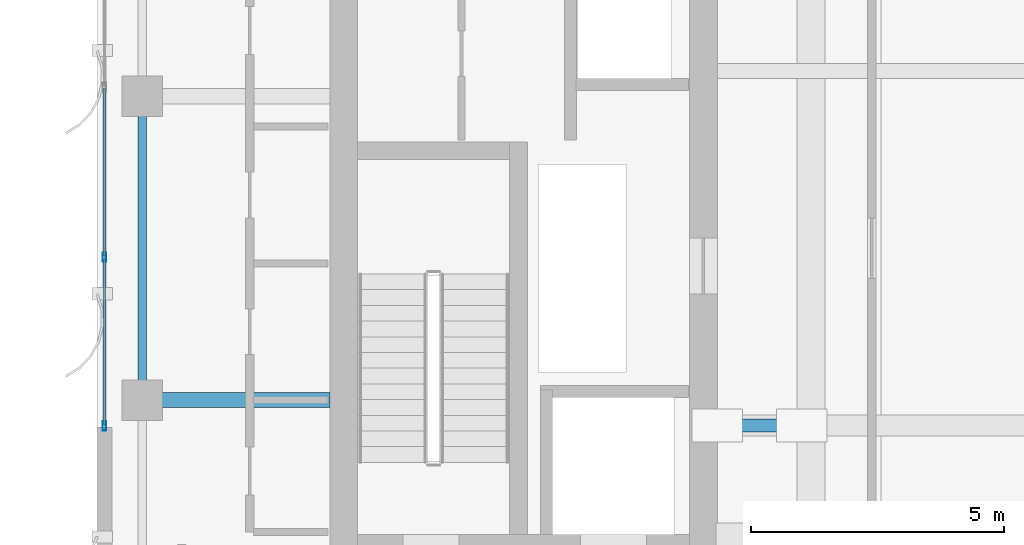
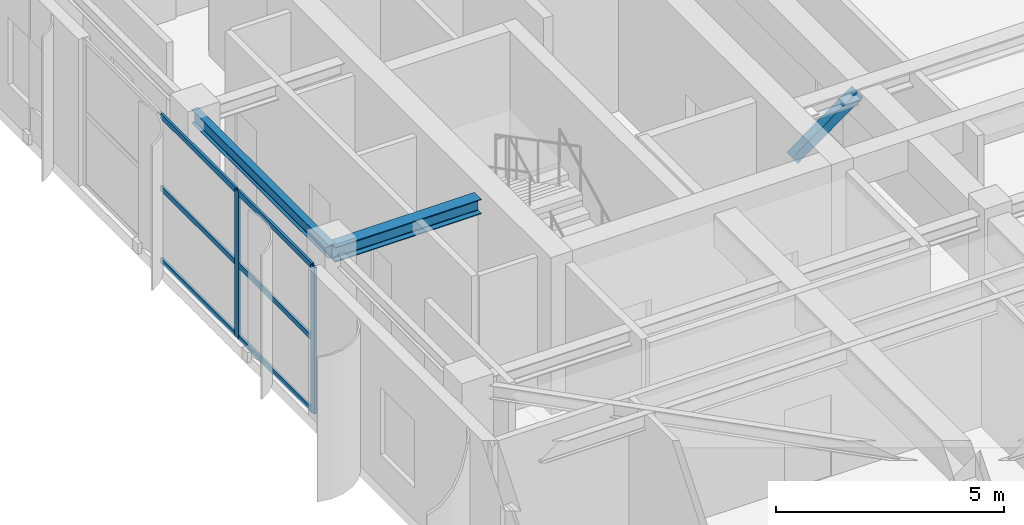
# One storey, part 2 of 19: 9 members, 2 beams, 1 element without a shape of its own.
"""IFC4 building model written with IfcOpenShell, lengths in metres."""

from ifc_helpers import new_model, si_unit, direction, frame, origin, origin_2d, place, context, subcontext, project, spatial, hollow_rectangle, i_section, extrude, source, transform, mapped, material, layer, layer_set, material_profile, profile_set, type_object, element, aggregate, save


model = new_model("IFC4")

# Units and contexts
model_context = context("Model", 3, precision=1e-05, world=origin(), true_north=direction((0.0, 1.0)))
body_context = subcontext(model_context, "Body", "Model", "MODEL_VIEW")
ifc_project = project(units=[si_unit("LENGTHUNIT", "METRE"), si_unit("AREAUNIT", "SQUARE_METRE"), si_unit("VOLUMEUNIT", "CUBIC_METRE"), si_unit("PLANEANGLEUNIT", "RADIAN"), si_unit("MASSUNIT", "GRAM", prefix="KILO")], contexts=[model_context])

# Site, building, storey
site_placement = place(None, origin())
site = spatial("IfcSite", under=ifc_project, at=site_placement, CompositionType="ELEMENT")
building_placement = place(site_placement, origin())
building = spatial("IfcBuilding", under=site, at=building_placement, Name="Khoralis Quay Care Tower", CompositionType="ELEMENT")
storey_placement = place(building_placement, frame((0.0, 0.0, 285.300048828125)))
storey = spatial("IfcBuildingStorey", under=building, at=storey_placement, Name="L75", CompositionType="ELEMENT", Elevation=285.300048828125)

# Beams
ifc_material_1 = material(Name="Steel S355", Category="steel")
ifc_material_profile_1 = material_profile(ifc_material_1, i_section(OverallWidth=0.169921875, OverallDepth=0.360107421875, WebThickness=0.008056640625, FlangeThickness=0.0126953125, FilletRadius=0.01806640625, at=origin_2d()), Name="Steel S355")
ifc_profile_set_1 = profile_set([ifc_material_profile_1], Name="Steel S355")
beam_type_1 = type_object("IfcBeamType", Name="BM-IPE360", PredefinedType="SPANDREL", material=ifc_profile_set_1)
shared_shape_1 = source(origin(), body_context, "Body", "SweptSolid", [
    extrude(i_section(OverallWidth=0.169921875, OverallDepth=0.360107421875, WebThickness=0.008056640625, FlangeThickness=0.0126953125, FilletRadius=0.01806640625, at=origin_2d()), origin(), (0.0, 0.0, 1.0), 6.0),
])
beam_1_placement = place(storey_placement, frame((3.89990234375, 18.0, 3.739990234375), z_axis=(0.0, 1.0, 0.0), x_axis=(-1.0, 0.0, 0.0)))
element("IfcBeam", 1, at=beam_1_placement, inside=storey, type_object=beam_type_1, Name="BM-TSP-L75-10", PredefinedType="SPANDREL", context=body_context, shape_type="MappedRepresentation", body=[
    mapped(shared_shape_1, transform((0.0, 0.0, 0.0), scale=1.0)),
])
ifc_material_profile_2 = material_profile(ifc_material_1, i_section(OverallWidth=0.300048828125, OverallDepth=0.39990234375, WebThickness=0.013427734375, FlangeThickness=0.02392578125, FilletRadius=0.027099609375, at=origin_2d()), Name="Steel S355")
ifc_profile_set_2 = profile_set([ifc_material_profile_2], Name="Steel S355")
beam_type_2 = type_object("IfcBeamType", Name="BM-HEB400", PredefinedType="BEAM", material=ifc_profile_set_2)
shared_shape_2 = source(origin(), body_context, "Body", "SweptSolid", [
    extrude(i_section(OverallWidth=0.300048828125, OverallDepth=0.39990234375, WebThickness=0.013427734375, FlangeThickness=0.02392578125, FilletRadius=0.027099609375, at=origin_2d()), origin(), (0.0, 0.0, 1.0), 3.7021484375),
])
beam_2_placement = place(storey_placement, frame((3.89990234375, 18.0, 3.719970703125), z_axis=(1.0, 0.0, 0.0), x_axis=(0.0, 1.0, 0.0)))
element("IfcBeam", 2, at=beam_2_placement, inside=storey, type_object=beam_type_2, Name="BM-TGXW-L75-180", PredefinedType="BEAM", context=body_context, shape_type="MappedRepresentation", body=[
    mapped(shared_shape_2, transform((0.0, 0.0, 0.0), scale=1.0)),
])

# Member
ifc_material_profile_3 = material_profile(ifc_material_1, hollow_rectangle(XDim=0.25, YDim=0.25, WallThickness=0.012451171875, at=origin_2d()), Name="Steel S355")
ifc_profile_set_3 = profile_set([ifc_material_profile_3], Name="Steel S355")
member_type_1 = type_object("IfcMemberType", Name="BR-RHS250X250X12", PredefinedType="BRACE", material=ifc_profile_set_3)
shared_shape_3 = source(origin(), body_context, "Body", "SweptSolid", [
    extrude(hollow_rectangle(XDim=0.25, YDim=0.25, WallThickness=0.012451171875, at=origin_2d()), origin(), (0.0, 0.0, 1.0), 2.0458984375),
])
member_1_placement = place(storey_placement, frame((15.262939453125, 17.5, 2.550048828125), z_axis=(0.809926482974, 0.0, 0.586531407664), x_axis=(0.0, 1.0, 0.0)))
element("IfcMember", 3, at=member_1_placement, inside=storey, type_object=member_type_1, Name="L75 Sky Pool Space Truss Diagonal 1", PredefinedType="BRACE", context=body_context, shape_type="MappedRepresentation", body=[
    mapped(shared_shape_3, transform((0.0, 0.0, 0.0), scale=1.0)),
])

# Curtain wall, members
ifc_material_2 = material(Name="Pale anodised aluminium", Category="aluminium")
ifc_layer = layer(ifc_material_2, 0.159912109375)
ifc_layer_set = layer_set([ifc_layer], Name="Pale anodised aluminium")
curtain_wall_type = type_object("IfcCurtainWallType", Name="CW-SYS-Z3", PredefinedType="NOTDEFINED", material=ifc_layer_set)
curtain_wall_placement = place(storey_placement, origin())
curtain_wall = element("IfcCurtainWall", 4, at=curtain_wall_placement, inside=storey, type_object=curtain_wall_type, Name="L75 Unitised Curtain Wall CW-L75-P1-E15", PredefinedType="NOTDEFINED")
ifc_material_profile_4 = material_profile(ifc_material_2, hollow_rectangle(XDim=0.06005859375, YDim=0.139892578125, WallThickness=0.00390625, at=origin_2d()), Name="Pale anodised aluminium")
ifc_profile_set_4 = profile_set([ifc_material_profile_4], Name="Pale anodised aluminium")
member_type_2 = type_object("IfcMemberType", Name="CW-TRN-140", PredefinedType="USERDEFINED", material=ifc_profile_set_4)
shared_shape_4 = source(origin(), body_context, "Body", "SweptSolid", [
    extrude(hollow_rectangle(XDim=0.06005859375, YDim=0.139892578125, WallThickness=0.00390625, at=origin_2d()), origin(), (0.0, 0.0, 1.0), 3.27001953125),
])
member_2_placement = place(storey_placement, frame((3.14990234375, 20.7900390625, 0.030029296875), z_axis=(0.0, -1.0, 0.0), x_axis=(1.0, 0.0, 0.0)))
member_2 = element("IfcMember", 5, at=member_2_placement, type_object=member_type_2, Name="CW3 transom 3.1", ObjectType="TRANSOM", PredefinedType="USERDEFINED", context=body_context, shape_type="MappedRepresentation", body=[
    mapped(shared_shape_4, transform((0.0, 0.0, 0.0), scale=1.0)),
])
member_3_placement = place(storey_placement, frame((3.14990234375, 20.7900390625, 1.9599609375), z_axis=(0.0, -1.0, 0.0), x_axis=(1.0, 0.0, 0.0)))
member_3 = element("IfcMember", 6, at=member_3_placement, type_object=member_type_2, Name="CW3 transom 3.2", ObjectType="TRANSOM", PredefinedType="USERDEFINED", context=body_context, shape_type="MappedRepresentation", body=[
    mapped(shared_shape_4, transform((0.0, 0.0, 0.0), scale=1.0)),
])
member_4_placement = place(storey_placement, frame((3.14990234375, 20.7900390625, 3.889892578125), z_axis=(0.0, -1.0, 0.0), x_axis=(1.0, 0.0, 0.0)))
member_4 = element("IfcMember", 7, at=member_4_placement, type_object=member_type_2, Name="CW3 transom 3.3", ObjectType="TRANSOM", PredefinedType="USERDEFINED", context=body_context, shape_type="MappedRepresentation", body=[
    mapped(shared_shape_4, transform((0.0, 0.0, 0.0), scale=1.0)),
])
shared_shape_5 = source(origin(), body_context, "Body", "SweptSolid", [
    extrude(hollow_rectangle(XDim=0.06005859375, YDim=0.139892578125, WallThickness=0.00390625, at=origin_2d()), origin(), (0.0, 0.0, 1.0), 3.2998046875),
])
member_5_placement = place(storey_placement, frame((3.14990234375, 24.14990234375, 0.030029296875), z_axis=(0.0, -1.0, 0.0), x_axis=(1.0, 0.0, 0.0)))
member_5 = element("IfcMember", 8, at=member_5_placement, type_object=member_type_2, Name="CW3 transom 2.1", ObjectType="TRANSOM", PredefinedType="USERDEFINED", context=body_context, shape_type="MappedRepresentation", body=[
    mapped(shared_shape_5, transform((0.0, 0.0, 0.0), scale=1.0)),
])
member_6_placement = place(storey_placement, frame((3.14990234375, 24.14990234375, 1.9599609375), z_axis=(0.0, -1.0, 0.0), x_axis=(1.0, 0.0, 0.0)))
member_6 = element("IfcMember", 9, at=member_6_placement, type_object=member_type_2, Name="CW3 transom 2.2", ObjectType="TRANSOM", PredefinedType="USERDEFINED", context=body_context, shape_type="MappedRepresentation", body=[
    mapped(shared_shape_5, transform((0.0, 0.0, 0.0), scale=1.0)),
])
member_7_placement = place(storey_placement, frame((3.14990234375, 24.14990234375, 3.889892578125), z_axis=(0.0, -1.0, 0.0), x_axis=(1.0, 0.0, 0.0)))
member_7 = element("IfcMember", 10, at=member_7_placement, type_object=member_type_2, Name="CW3 transom 2.3", ObjectType="TRANSOM", PredefinedType="USERDEFINED", context=body_context, shape_type="MappedRepresentation", body=[
    mapped(shared_shape_5, transform((0.0, 0.0, 0.0), scale=1.0)),
])
ifc_material_profile_5 = material_profile(ifc_material_2, hollow_rectangle(XDim=0.06494140625, YDim=0.179931640625, WallThickness=0.00390625, at=origin_2d()), Name="Pale anodised aluminium")
ifc_profile_set_5 = profile_set([ifc_material_profile_5], Name="Pale anodised aluminium")
member_type_3 = type_object("IfcMemberType", Name="CW-MUL-180", PredefinedType="MULLION", material=ifc_profile_set_5)
shared_shape_6 = source(origin(), body_context, "Body", "SweptSolid", [
    extrude(hollow_rectangle(XDim=0.06494140625, YDim=0.179931640625, WallThickness=0.00390625, at=origin_2d()), origin(), (0.0, 0.0, 1.0), 3.919921875),
])
member_8_placement = place(storey_placement, frame((3.14990234375, 20.820068359375, 0.0), z_axis=(0.0, 0.0, 1.0), x_axis=(1.0, 0.0, 0.0)))
member_8 = element("IfcMember", 11, at=member_8_placement, type_object=member_type_3, Name="CW3 mullion 3", PredefinedType="MULLION", context=body_context, shape_type="MappedRepresentation", body=[
    mapped(shared_shape_6, transform((0.0, 0.0, 0.0), scale=1.0)),
])
member_9_placement = place(storey_placement, frame((3.14990234375, 17.489990234375, 0.0), z_axis=(0.0, 0.0, 1.0), x_axis=(1.0, 0.0, 0.0)))
member_9 = element("IfcMember", 12, at=member_9_placement, type_object=member_type_3, Name="CW3 mullion 4", PredefinedType="MULLION", context=body_context, shape_type="MappedRepresentation", body=[
    mapped(shared_shape_6, transform((0.0, 0.0, 0.0), scale=1.0)),
])
aggregate(curtain_wall, [member_8, member_9, member_5, member_6, member_7, member_2, member_3, member_4])

save(model, "model.ifc")
